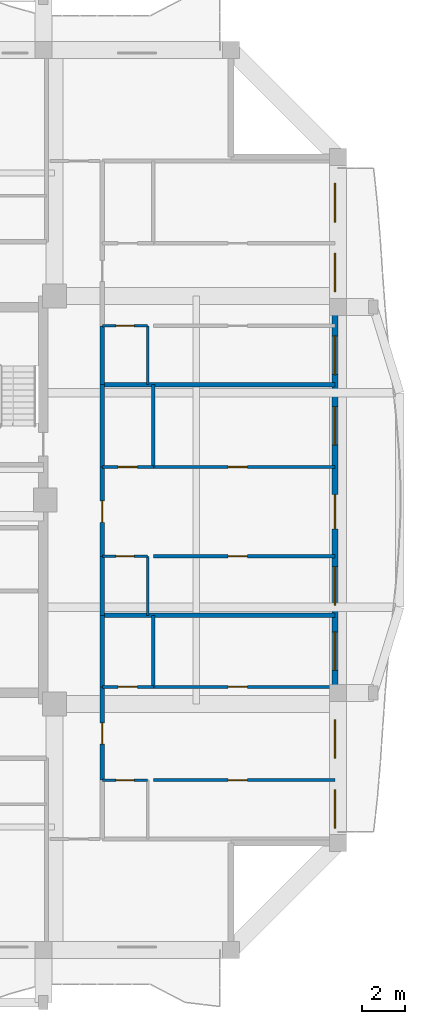
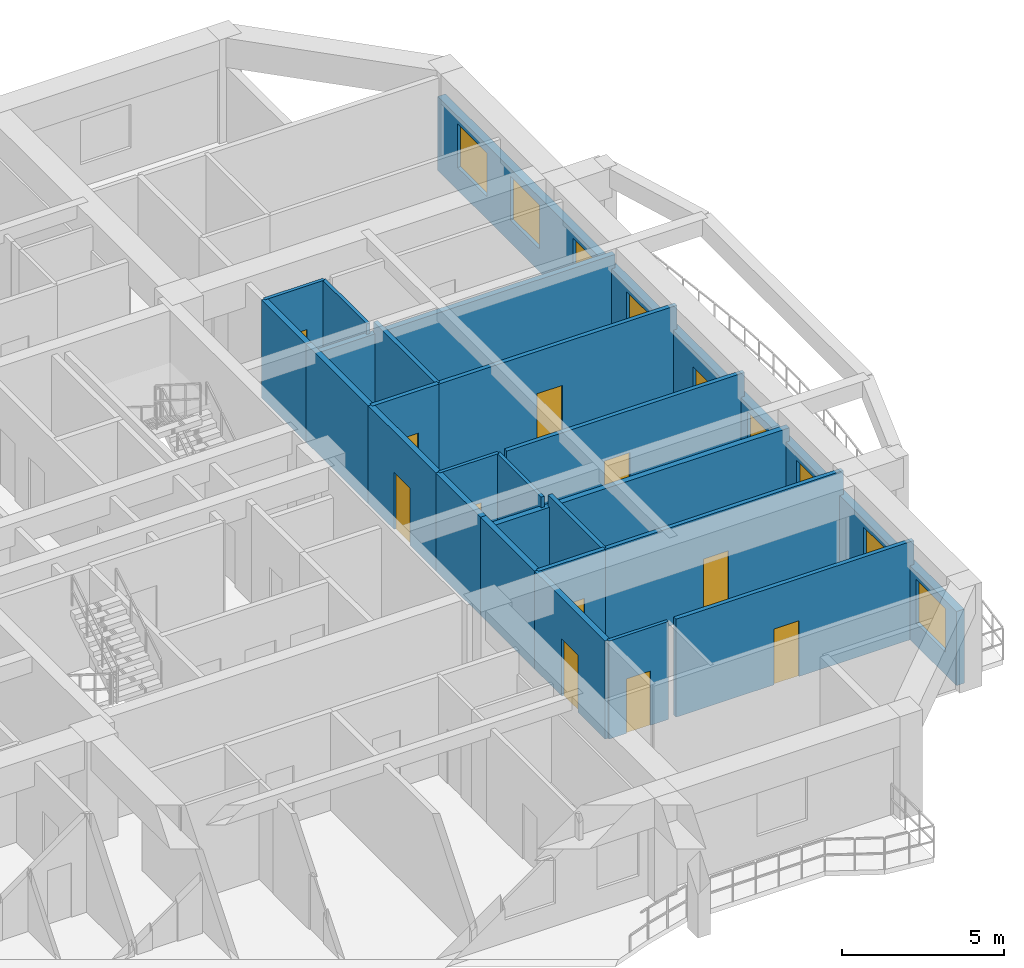
# One storey, part 5 of 13: 22 walls, 12 doors, 8 windows, 20 openings.
"""IFC4 building model written with IfcOpenShell, lengths in metres."""

from ifc_helpers import new_model, si_unit, direction, frame, frame_2d, origin, place, context, subcontext, project, spatial, rectangle, extrude, source, transform, mapped, material, layer, layer_set, type_object, element, fill, save


model = new_model("IFC4")

# Units and contexts
model_context = context("Model", 3, precision=1e-05, world=origin(), true_north=direction((0.0, 1.0)))
body_context = subcontext(model_context, "Body", "Model", "MODEL_VIEW")
ifc_project = project(units=[si_unit("LENGTHUNIT", "METRE"), si_unit("AREAUNIT", "SQUARE_METRE"), si_unit("VOLUMEUNIT", "CUBIC_METRE"), si_unit("PLANEANGLEUNIT", "RADIAN"), si_unit("MASSUNIT", "GRAM", prefix="KILO")], contexts=[model_context])

# Site, building, storey
site_placement = place(None, origin())
site = spatial("IfcSite", under=ifc_project, at=site_placement, CompositionType="ELEMENT")
building_placement = place(site_placement, origin())
building = spatial("IfcBuilding", under=site, at=building_placement, Name="Saelheon Loggia Tower", CompositionType="ELEMENT")
storey_placement = place(building_placement, frame((0.0, 0.0, 172.89990234375)))
storey = spatial("IfcBuildingStorey", under=building, at=storey_placement, Name="L54", CompositionType="ELEMENT", Elevation=172.89990234375)

# Wall, openings, windows, door
ifc_material_1 = material(Name="Architectural Precast Concrete C40/50", Category="concrete")
ifc_layer_1 = layer(ifc_material_1, 0.280029296875)
ifc_layer_set_1 = layer_set([ifc_layer_1], Name="Architectural Precast Concrete C40/50")
wall_type_1 = type_object("IfcWallType", Name="Wall_Ext_Loggia_280", PredefinedType="SOLIDWALL", material=ifc_layer_set_1)
wall_1_placement = place(storey_placement, frame((58.110107421875, 11.0, 0.0), z_axis=(0.0, 0.0, 1.0), x_axis=(0.0, 1.0, 0.0)))
wall_1 = element("IfcWall", 1, at=wall_1_placement, inside=storey, type_object=wall_type_1, Name="L54 East Loggia Inner Wall", PredefinedType="SOLIDWALL", context=body_context, shape_type="SweptSolid", body=[
    extrude(rectangle(XDim=32.0, YDim=0.280029296875, at=frame_2d((16.0, 0.0))), origin(), (0.0, 0.0, 1.0), 2.7900390625),
])
opening_1_placement = place(wall_1_placement, frame((0.68505859375, 0.0, 0.85009765625)))
opening_1 = element("IfcOpeningElement", 2, at=opening_1_placement, cuts=wall_1, Name="Opening WN-01", PredefinedType="OPENING", context=body_context, shape_type="SweptSolid", body=[
    extrude(rectangle(XDim=1.800048828125, YDim=1.64990234375, at=frame_2d((0.89990234375, 0.824951171875))), frame((0.0, 0.152099609375, 0.0), z_axis=(0.0, -1.0, 0.0), x_axis=(1.0, 0.0, 0.0)), (0.0, 0.0, 1.0), 0.303955078125),
])
opening_2_placement = place(wall_1_placement, frame((3.945068359375, 0.0, 0.85009765625)))
opening_2 = element("IfcOpeningElement", 3, at=opening_2_placement, cuts=wall_1, Name="Opening WN-01", PredefinedType="OPENING", context=body_context, shape_type="SweptSolid", body=[
    extrude(rectangle(XDim=1.800048828125, YDim=1.64990234375, at=frame_2d((0.89990234375, 0.824951171875))), frame((0.0, 0.152099609375, 0.0), z_axis=(0.0, -1.0, 0.0), x_axis=(1.0, 0.0, 0.0)), (0.0, 0.0, 1.0), 0.303955078125),
])
opening_3_placement = place(wall_1_placement, frame((8.050537109375, 0.0, 0.85009765625)))
opening_3 = element("IfcOpeningElement", 4, at=opening_3_placement, cuts=wall_1, Name="Opening WN-01", PredefinedType="OPENING", context=body_context, shape_type="SweptSolid", body=[
    extrude(rectangle(XDim=1.800048828125, YDim=1.64990234375, at=frame_2d((0.89990234375, 0.824951171875))), frame((0.0, 0.152099609375, 0.0), z_axis=(0.0, -1.0, 0.0), x_axis=(1.0, 0.0, 0.0)), (0.0, 0.0, 1.0), 0.303955078125),
])
opening_4_placement = place(wall_1_placement, frame((11.09619140625, 0.0, 0.85009765625)))
opening_4 = element("IfcOpeningElement", 5, at=opening_4_placement, cuts=wall_1, Name="Opening WN-01", PredefinedType="OPENING", context=body_context, shape_type="SweptSolid", body=[
    extrude(rectangle(XDim=1.800048828125, YDim=1.64990234375, at=frame_2d((0.89990234375, 0.824951171875))), frame((0.0, 0.152099609375, 0.0), z_axis=(0.0, -1.0, 0.0), x_axis=(1.0, 0.0, 0.0)), (0.0, 0.0, 1.0), 0.303955078125),
])
opening_5_placement = place(wall_1_placement, frame((16.256591796875, 0.0, 0.0), z_axis=(0.0, 0.0, 1.0), x_axis=(-1.0, 0.0, 0.0)))
opening_5 = element("IfcOpeningElement", 6, at=opening_5_placement, cuts=wall_1, Name="Opening DLG-1", PredefinedType="OPENING", context=body_context, shape_type="SweptSolid", body=[
    extrude(rectangle(XDim=1.60009765625, YDim=2.14990234375, at=frame_2d((0.800048828125, 1.074951171875))), frame((0.0, 0.152099609375, 0.0), z_axis=(0.0, -1.0, 0.0), x_axis=(1.0, 0.0, 0.0)), (0.0, 0.0, 1.0), 0.303955078125),
])
opening_6_placement = place(wall_1_placement, frame((18.560302734375, 0.0, 0.85009765625)))
opening_6 = element("IfcOpeningElement", 7, at=opening_6_placement, cuts=wall_1, Name="Opening WN-01", PredefinedType="OPENING", context=body_context, shape_type="SweptSolid", body=[
    extrude(rectangle(XDim=1.800048828125, YDim=1.64990234375, at=frame_2d((0.89990234375, 0.824951171875))), frame((0.0, 0.152099609375, 0.0), z_axis=(0.0, -1.0, 0.0), x_axis=(1.0, 0.0, 0.0)), (0.0, 0.0, 1.0), 0.303955078125),
])
opening_7_placement = place(wall_1_placement, frame((21.853759765625, 0.0, 0.85009765625)))
opening_7 = element("IfcOpeningElement", 8, at=opening_7_placement, cuts=wall_1, Name="Opening WN-01", PredefinedType="OPENING", context=body_context, shape_type="SweptSolid", body=[
    extrude(rectangle(XDim=1.800048828125, YDim=1.64990234375, at=frame_2d((0.89990234375, 0.824951171875))), frame((0.0, 0.152099609375, 0.0), z_axis=(0.0, -1.0, 0.0), x_axis=(1.0, 0.0, 0.0)), (0.0, 0.0, 1.0), 0.303955078125),
])
opening_8_placement = place(wall_1_placement, frame((25.71142578125, 0.0, 0.85009765625)))
opening_8 = element("IfcOpeningElement", 9, at=opening_8_placement, cuts=wall_1, Name="Opening WN-01", PredefinedType="OPENING", context=body_context, shape_type="SweptSolid", body=[
    extrude(rectangle(XDim=1.800048828125, YDim=1.64990234375, at=frame_2d((0.89990234375, 0.824951171875))), frame((0.0, 0.152099609375, 0.0), z_axis=(0.0, -1.0, 0.0), x_axis=(1.0, 0.0, 0.0)), (0.0, 0.0, 1.0), 0.303955078125),
])
opening_9_placement = place(wall_1_placement, frame((28.971435546875, 0.0, 0.85009765625)))
opening_9 = element("IfcOpeningElement", 10, at=opening_9_placement, cuts=wall_1, Name="Opening WN-01", PredefinedType="OPENING", context=body_context, shape_type="SweptSolid", body=[
    extrude(rectangle(XDim=1.800048828125, YDim=1.64990234375, at=frame_2d((0.89990234375, 0.824951171875))), frame((0.0, 0.152099609375, 0.0), z_axis=(0.0, -1.0, 0.0), x_axis=(1.0, 0.0, 0.0)), (0.0, 0.0, 1.0), 0.303955078125),
])
ifc_material_2 = material(Name="Thermal-Break Aluminium and Triple Low-E Glass", Category="aluminium")
window_type = type_object("IfcWindowType", Name="Win_Dwelling_1800x1650", PartitioningType="SINGLE_PANEL", PredefinedType="WINDOW", material=ifc_material_2)
shared_shape_1 = source(origin(), body_context, "Body", "SweptSolid", [
    extrude(rectangle(XDim=1.800048828125, YDim=1.64990234375, at=frame_2d((0.89990234375, 0.824951171875))), frame((0.0, 0.030029296875, 0.0), z_axis=(0.0, -1.0, 0.0), x_axis=(1.0, 0.0, 0.0)), (0.0, 0.0, 1.0), 0.06005859375),
])
window_1_placement = place(opening_1_placement, origin())
window_1 = element("IfcWindow", 11, at=window_1_placement, inside=storey, type_object=window_type, Name="L54 E Dwelling Window 1", OverallHeight=1.64990234375, OverallWidth=1.800048828125, PartitioningType="SINGLE_PANEL", PredefinedType="WINDOW", context=body_context, shape_type="MappedRepresentation", body=[
    mapped(shared_shape_1, transform((0.0, 0.0, 0.0), scale=1.0)),
])
fill(opening_1, window_1)
window_2_placement = place(opening_2_placement, origin())
window_2 = element("IfcWindow", 12, at=window_2_placement, inside=storey, type_object=window_type, Name="L54 E Dwelling Window 2", OverallHeight=1.64990234375, OverallWidth=1.800048828125, PartitioningType="SINGLE_PANEL", PredefinedType="WINDOW", context=body_context, shape_type="MappedRepresentation", body=[
    mapped(shared_shape_1, transform((0.0, 0.0, 0.0), scale=1.0)),
])
fill(opening_2, window_2)
window_3_placement = place(opening_3_placement, origin())
window_3 = element("IfcWindow", 13, at=window_3_placement, inside=storey, type_object=window_type, Name="L54 E Dwelling Window 3", OverallHeight=1.64990234375, OverallWidth=1.800048828125, PartitioningType="SINGLE_PANEL", PredefinedType="WINDOW", context=body_context, shape_type="MappedRepresentation", body=[
    mapped(shared_shape_1, transform((0.0, 0.0, 0.0), scale=1.0)),
])
fill(opening_3, window_3)
window_4_placement = place(opening_4_placement, origin())
window_4 = element("IfcWindow", 14, at=window_4_placement, inside=storey, type_object=window_type, Name="L54 E Dwelling Window 4", OverallHeight=1.64990234375, OverallWidth=1.800048828125, PartitioningType="SINGLE_PANEL", PredefinedType="WINDOW", context=body_context, shape_type="MappedRepresentation", body=[
    mapped(shared_shape_1, transform((0.0, 0.0, 0.0), scale=1.0)),
])
fill(opening_4, window_4)
window_5_placement = place(opening_6_placement, origin())
window_5 = element("IfcWindow", 15, at=window_5_placement, inside=storey, type_object=window_type, Name="L54 E Dwelling Window 6", OverallHeight=1.64990234375, OverallWidth=1.800048828125, PartitioningType="SINGLE_PANEL", PredefinedType="WINDOW", context=body_context, shape_type="MappedRepresentation", body=[
    mapped(shared_shape_1, transform((0.0, 0.0, 0.0), scale=1.0)),
])
fill(opening_6, window_5)
window_6_placement = place(opening_7_placement, origin())
window_6 = element("IfcWindow", 16, at=window_6_placement, inside=storey, type_object=window_type, Name="L54 E Dwelling Window 7", OverallHeight=1.64990234375, OverallWidth=1.800048828125, PartitioningType="SINGLE_PANEL", PredefinedType="WINDOW", context=body_context, shape_type="MappedRepresentation", body=[
    mapped(shared_shape_1, transform((0.0, 0.0, 0.0), scale=1.0)),
])
fill(opening_7, window_6)
window_7_placement = place(opening_8_placement, origin())
window_7 = element("IfcWindow", 17, at=window_7_placement, inside=storey, type_object=window_type, Name="L54 E Dwelling Window 8", OverallHeight=1.64990234375, OverallWidth=1.800048828125, PartitioningType="SINGLE_PANEL", PredefinedType="WINDOW", context=body_context, shape_type="MappedRepresentation", body=[
    mapped(shared_shape_1, transform((0.0, 0.0, 0.0), scale=1.0)),
])
fill(opening_8, window_7)
window_8_placement = place(opening_9_placement, origin())
window_8 = element("IfcWindow", 18, at=window_8_placement, inside=storey, type_object=window_type, Name="L54 E Dwelling Window 9", OverallHeight=1.64990234375, OverallWidth=1.800048828125, PartitioningType="SINGLE_PANEL", PredefinedType="WINDOW", context=body_context, shape_type="MappedRepresentation", body=[
    mapped(shared_shape_1, transform((0.0, 0.0, 0.0), scale=1.0)),
])
fill(opening_9, window_8)
ifc_material_3 = material(Name="Thermal-Break Aluminium Sliding Glazed Door", Category="aluminium")
door_type_1 = type_object("IfcDoorType", Name="Door_LoggiaSlide_1600", OperationType="SLIDING_TO_LEFT", PredefinedType="DOOR", material=ifc_material_3)
shared_shape_2 = source(origin(), body_context, "Body", "SweptSolid", [
    extrude(rectangle(XDim=1.60009765625, YDim=2.14990234375, at=frame_2d((0.800048828125, 1.074951171875))), frame((0.0, 0.02490234375, 0.0), z_axis=(0.0, -1.0, 0.0), x_axis=(1.0, 0.0, 0.0)), (0.0, 0.0, 1.0), 0.050048828125),
])
door_1_placement = place(opening_5_placement, origin())
door_1 = element("IfcDoor", 19, at=door_1_placement, inside=storey, type_object=door_type_1, Name="L54 E Loggia Access Door", OperationType="SLIDING_TO_LEFT", OverallHeight=2.14990234375, OverallWidth=1.60009765625, PredefinedType="DOOR", context=body_context, shape_type="MappedRepresentation", body=[
    mapped(shared_shape_2, transform((0.0, 0.0, 0.0), scale=1.0)),
])
fill(opening_5, door_1)

# Wall
ifc_material_4 = material(Name="Lightweight Autoclaved Aerated Concrete Block and Acoustic Gypsum", Category="concrete")
ifc_layer_2 = layer(ifc_material_4, 0.14990234375)
ifc_layer_set_2 = layer_set([ifc_layer_2], Name="Lightweight Autoclaved Aerated Concrete Block and Acoustic Gypsum")
wall_type_2 = type_object("IfcWallType", Name="Wall_Part_150", PredefinedType="PARTITIONING", material=ifc_layer_set_2)
wall_2_placement = place(storey_placement, frame((49.6298828125, 18.280029296875, 0.0), z_axis=(0.0, 0.0, 1.0), x_axis=(0.0, 1.0, 0.0)))
element("IfcWall", 20, at=wall_2_placement, inside=storey, type_object=wall_type_2, Name="L54 E Partition V07", PredefinedType="PARTITIONING", context=body_context, shape_type="SweptSolid", body=[
    extrude(rectangle(XDim=3.341064453125, YDim=0.14990234375, at=frame_2d((1.67041015625, 0.0))), origin(), (0.0, 0.0, 1.0), 3.690185546875),
])

# Wall, opening, door
wall_3_placement = place(storey_placement, frame((49.6298828125, 13.929931640625, 0.0), z_axis=(0.0, 0.0, 1.0), x_axis=(1.0, 0.0, 0.0)))
wall_3 = element("IfcWall", 21, at=wall_3_placement, inside=storey, type_object=wall_type_2, Name="L54 E Partition U09", PredefinedType="PARTITIONING", context=body_context, shape_type="SweptSolid", body=[
    extrude(rectangle(XDim=8.47021484375, YDim=0.14990234375, at=frame_2d((4.235107421875, 0.0))), origin(), (0.0, 0.0, 1.0), 3.690185546875),
])
opening_10_placement = place(wall_3_placement, frame((3.489501953125, 0.0, 0.0)))
opening_10 = element("IfcOpeningElement", 22, at=opening_10_placement, cuts=wall_3, Name="Opening D-IN2", PredefinedType="OPENING", context=body_context, shape_type="SweptSolid", body=[
    extrude(rectangle(XDim=0.89990234375, YDim=2.10009765625, at=frame_2d((0.449951171875, 1.050048828125))), frame((0.0, 0.0869140625, 0.0), z_axis=(0.0, -1.0, 0.0), x_axis=(1.0, 0.0, 0.0)), (0.0, 0.0, 1.0), 0.173828125),
])
ifc_material_5 = material(Name="Engineered Oak Flush Door", Category="timber")
door_type_2 = type_object("IfcDoorType", Name="Door_Int_900", OperationType="NOTDEFINED", PredefinedType="DOOR", material=ifc_material_5)
shared_shape_3 = source(origin(), body_context, "Body", "SweptSolid", [
    extrude(rectangle(XDim=0.89990234375, YDim=2.10009765625, at=frame_2d((0.449951171875, 1.050048828125))), frame((0.0, 0.02490234375, 0.0), z_axis=(0.0, -1.0, 0.0), x_axis=(1.0, 0.0, 0.0)), (0.0, 0.0, 1.0), 0.050048828125),
])
door_2_placement = place(opening_10_placement, origin())
door_2 = element("IfcDoor", 23, at=door_2_placement, inside=storey, type_object=door_type_2, Name="Unit U08 Kitchen Door", OperationType="SINGLE_SWING_RIGHT", OverallHeight=2.10009765625, OverallWidth=0.89990234375, PredefinedType="DOOR", context=body_context, shape_type="MappedRepresentation", body=[
    mapped(shared_shape_3, transform((0.0, 0.0, 0.0), scale=1.0)),
])
fill(opening_10, door_2)

wall_4_placement = place(storey_placement, frame((47.25, 18.280029296875, 0.0), z_axis=(0.0, 0.0, 1.0), x_axis=(1.0, 0.0, 0.0)))
wall_4 = element("IfcWall", 24, at=wall_4_placement, inside=storey, type_object=wall_type_2, Name="L54 E Partition U10", PredefinedType="PARTITIONING", context=body_context, shape_type="SweptSolid", body=[
    extrude(rectangle(XDim=2.3798828125, YDim=0.14990234375, at=frame_2d((1.18994140625, 0.0))), origin(), (0.0, 0.0, 1.0), 3.690185546875),
])
opening_11_placement = place(wall_4_placement, frame((0.739990234375, 0.0, 0.0)))
opening_11 = element("IfcOpeningElement", 25, at=opening_11_placement, cuts=wall_4, Name="Opening D-IN2", PredefinedType="OPENING", context=body_context, shape_type="SweptSolid", body=[
    extrude(rectangle(XDim=0.89990234375, YDim=2.10009765625, at=frame_2d((0.449951171875, 1.050048828125))), frame((0.0, 0.0869140625, 0.0), z_axis=(0.0, -1.0, 0.0), x_axis=(1.0, 0.0, 0.0)), (0.0, 0.0, 1.0), 0.173828125),
])
door_3_placement = place(opening_11_placement, origin())
door_3 = element("IfcDoor", 26, at=door_3_placement, inside=storey, type_object=door_type_2, Name="Unit U08 Dressing Closet Door", OperationType="SINGLE_SWING_LEFT", OverallHeight=2.10009765625, OverallWidth=0.89990234375, PredefinedType="DOOR", context=body_context, shape_type="MappedRepresentation", body=[
    mapped(shared_shape_3, transform((0.0, 0.0, 0.0), scale=1.0)),
])
fill(opening_11, door_3)

wall_5_placement = place(storey_placement, frame((49.6298828125, 18.280029296875, 0.0), z_axis=(0.0, 0.0, 1.0), x_axis=(1.0, 0.0, 0.0)))
wall_5 = element("IfcWall", 27, at=wall_5_placement, inside=storey, type_object=wall_type_2, Name="L54 E Partition U11", PredefinedType="PARTITIONING", context=body_context, shape_type="SweptSolid", body=[
    extrude(rectangle(XDim=8.47021484375, YDim=0.14990234375, at=frame_2d((4.235107421875, 0.0))), origin(), (0.0, 0.0, 1.0), 3.690185546875),
])
opening_12_placement = place(wall_5_placement, frame((3.489501953125, 0.0, 0.0)))
opening_12 = element("IfcOpeningElement", 28, at=opening_12_placement, cuts=wall_5, Name="Opening D-IN2", PredefinedType="OPENING", context=body_context, shape_type="SweptSolid", body=[
    extrude(rectangle(XDim=0.89990234375, YDim=2.10009765625, at=frame_2d((0.449951171875, 1.050048828125))), frame((0.0, 0.0869140625, 0.0), z_axis=(0.0, -1.0, 0.0), x_axis=(1.0, 0.0, 0.0)), (0.0, 0.0, 1.0), 0.173828125),
])
door_4_placement = place(opening_12_placement, origin())
door_4 = element("IfcDoor", 29, at=door_4_placement, inside=storey, type_object=door_type_2, Name="Unit U08 Bedroom 1 Door", OperationType="SINGLE_SWING_RIGHT", OverallHeight=2.10009765625, OverallWidth=0.89990234375, PredefinedType="DOOR", context=body_context, shape_type="MappedRepresentation", body=[
    mapped(shared_shape_3, transform((0.0, 0.0, 0.0), scale=1.0)),
])
fill(opening_12, door_4)

# Wall
wall_6_placement = place(storey_placement, frame((49.6298828125, 28.541748046875, 0.0), z_axis=(0.0, 0.0, 1.0), x_axis=(0.0, 1.0, 0.0)))
element("IfcWall", 30, at=wall_6_placement, inside=storey, type_object=wall_type_2, Name="L54 E Partition V17", PredefinedType="PARTITIONING", context=body_context, shape_type="SweptSolid", body=[
    extrude(rectangle(XDim=3.837158203125, YDim=0.14990234375, at=frame_2d((1.91845703125, 0.0))), origin(), (0.0, 0.0, 1.0), 3.690185546875),
])

# Wall, opening, door
wall_7_placement = place(storey_placement, frame((49.6298828125, 24.37109375, 0.0), z_axis=(0.0, 0.0, 1.0), x_axis=(1.0, 0.0, 0.0)))
wall_7 = element("IfcWall", 31, at=wall_7_placement, inside=storey, type_object=wall_type_2, Name="L54 E Partition U19", PredefinedType="PARTITIONING", context=body_context, shape_type="SweptSolid", body=[
    extrude(rectangle(XDim=8.47021484375, YDim=0.14990234375, at=frame_2d((4.235107421875, 0.0))), origin(), (0.0, 0.0, 1.0), 3.690185546875),
])
opening_13_placement = place(wall_7_placement, frame((3.489501953125, 0.0, 0.0)))
opening_13 = element("IfcOpeningElement", 32, at=opening_13_placement, cuts=wall_7, Name="Opening D-IN2", PredefinedType="OPENING", context=body_context, shape_type="SweptSolid", body=[
    extrude(rectangle(XDim=0.89990234375, YDim=2.10009765625, at=frame_2d((0.449951171875, 1.050048828125))), frame((0.0, 0.0869140625, 0.0), z_axis=(0.0, -1.0, 0.0), x_axis=(1.0, 0.0, 0.0)), (0.0, 0.0, 1.0), 0.173828125),
])
door_5_placement = place(opening_13_placement, origin())
door_5 = element("IfcDoor", 33, at=door_5_placement, inside=storey, type_object=door_type_2, Name="Unit U09 Kitchen Door", OperationType="SINGLE_SWING_LEFT", OverallHeight=2.10009765625, OverallWidth=0.89990234375, PredefinedType="DOOR", context=body_context, shape_type="MappedRepresentation", body=[
    mapped(shared_shape_3, transform((0.0, 0.0, 0.0), scale=1.0)),
])
fill(opening_13, door_5)

wall_8_placement = place(storey_placement, frame((47.25, 28.541748046875, 0.0), z_axis=(0.0, 0.0, 1.0), x_axis=(1.0, 0.0, 0.0)))
wall_8 = element("IfcWall", 34, at=wall_8_placement, inside=storey, type_object=wall_type_2, Name="L54 E Partition U20", PredefinedType="PARTITIONING", context=body_context, shape_type="SweptSolid", body=[
    extrude(rectangle(XDim=2.3798828125, YDim=0.14990234375, at=frame_2d((1.18994140625, 0.0))), origin(), (0.0, 0.0, 1.0), 3.690185546875),
])
opening_14_placement = place(wall_8_placement, frame((0.739990234375, 0.0, 0.0)))
opening_14 = element("IfcOpeningElement", 35, at=opening_14_placement, cuts=wall_8, Name="Opening D-IN2", PredefinedType="OPENING", context=body_context, shape_type="SweptSolid", body=[
    extrude(rectangle(XDim=0.89990234375, YDim=2.10009765625, at=frame_2d((0.449951171875, 1.050048828125))), frame((0.0, 0.0869140625, 0.0), z_axis=(0.0, -1.0, 0.0), x_axis=(1.0, 0.0, 0.0)), (0.0, 0.0, 1.0), 0.173828125),
])
door_6_placement = place(opening_14_placement, origin())
door_6 = element("IfcDoor", 36, at=door_6_placement, inside=storey, type_object=door_type_2, Name="Unit U09 Dressing Closet Door", OperationType="SINGLE_SWING_RIGHT", OverallHeight=2.10009765625, OverallWidth=0.89990234375, PredefinedType="DOOR", context=body_context, shape_type="MappedRepresentation", body=[
    mapped(shared_shape_3, transform((0.0, 0.0, 0.0), scale=1.0)),
])
fill(opening_14, door_6)

wall_9_placement = place(storey_placement, frame((49.6298828125, 28.541748046875, 0.0), z_axis=(0.0, 0.0, 1.0), x_axis=(1.0, 0.0, 0.0)))
wall_9 = element("IfcWall", 37, at=wall_9_placement, inside=storey, type_object=wall_type_2, Name="L54 E Partition U21", PredefinedType="PARTITIONING", context=body_context, shape_type="SweptSolid", body=[
    extrude(rectangle(XDim=8.47021484375, YDim=0.14990234375, at=frame_2d((4.235107421875, 0.0))), origin(), (0.0, 0.0, 1.0), 3.690185546875),
])
opening_15_placement = place(wall_9_placement, frame((3.489501953125, 0.0, 0.0)))
opening_15 = element("IfcOpeningElement", 38, at=opening_15_placement, cuts=wall_9, Name="Opening D-IN2", PredefinedType="OPENING", context=body_context, shape_type="SweptSolid", body=[
    extrude(rectangle(XDim=0.89990234375, YDim=2.10009765625, at=frame_2d((0.449951171875, 1.050048828125))), frame((0.0, 0.0869140625, 0.0), z_axis=(0.0, -1.0, 0.0), x_axis=(1.0, 0.0, 0.0)), (0.0, 0.0, 1.0), 0.173828125),
])
door_7_placement = place(opening_15_placement, origin())
door_7 = element("IfcDoor", 39, at=door_7_placement, inside=storey, type_object=door_type_2, Name="Unit U09 Bedroom 1 Door", OperationType="SINGLE_SWING_LEFT", OverallHeight=2.10009765625, OverallWidth=0.89990234375, PredefinedType="DOOR", context=body_context, shape_type="MappedRepresentation", body=[
    mapped(shared_shape_3, transform((0.0, 0.0, 0.0), scale=1.0)),
])
fill(opening_15, door_7)

ifc_material_6 = material(Name="Double Acoustic Stud and Fireboard Partition", Category="gypsum")
ifc_layer_3 = layer(ifc_material_6, 0.199951171875)
ifc_layer_set_3 = layer_set([ifc_layer_3], Name="Double Acoustic Stud and Fireboard Partition")
wall_type_3 = type_object("IfcWallType", Name="Wall_Party_200", PredefinedType="PARTITIONING", material=ifc_layer_set_3)
wall_10_placement = place(storey_placement, frame((47.25, 13.929931640625, 0.0), z_axis=(0.0, 0.0, 1.0), x_axis=(0.0, 1.0, 0.0)))
wall_10 = element("IfcWall", 40, at=wall_10_placement, inside=storey, type_object=wall_type_3, Name="L54 E Partition V04", PredefinedType="PARTITIONING", context=body_context, shape_type="SweptSolid", body=[
    extrude(rectangle(XDim=4.35009765625, YDim=0.199951171875, at=frame_2d((2.175048828125, 0.0))), origin(), (0.0, 0.0, 1.0), 3.690185546875),
])
opening_16_placement = place(wall_10_placement, frame((1.675048828125, 0.0, 0.0)))
opening_16 = element("IfcOpeningElement", 41, at=opening_16_placement, cuts=wall_10, Name="Opening D-FD1", PredefinedType="OPENING", context=body_context, shape_type="SweptSolid", body=[
    extrude(rectangle(XDim=1.0, YDim=2.14990234375, at=frame_2d((0.5, 1.074951171875))), frame((0.0, 0.112060546875, 0.0), z_axis=(0.0, -1.0, 0.0), x_axis=(1.0, 0.0, 0.0)), (0.0, 0.0, 1.0), 0.223876953125),
])
ifc_material_7 = material(Name="Fire-Rated Engineered Timber Entrance Door", Category="wood")
door_type_3 = type_object("IfcDoorType", Name="Door_Flat_FD30S", OperationType="NOTDEFINED", PredefinedType="DOOR", material=ifc_material_7)
shared_shape_4 = source(origin(), body_context, "Body", "SweptSolid", [
    extrude(rectangle(XDim=1.0, YDim=2.14990234375, at=frame_2d((0.5, 1.074951171875))), frame((0.0, 0.02490234375, 0.0), z_axis=(0.0, -1.0, 0.0), x_axis=(1.0, 0.0, 0.0)), (0.0, 0.0, 1.0), 0.050048828125),
])
door_8_placement = place(opening_16_placement, origin())
door_8 = element("IfcDoor", 42, at=door_8_placement, inside=storey, type_object=door_type_3, Name="Unit U08 Entrance Door", OperationType="SINGLE_SWING_RIGHT", OverallHeight=2.14990234375, OverallWidth=1.0, PredefinedType="DOOR", context=body_context, shape_type="MappedRepresentation", body=[
    mapped(shared_shape_4, transform((0.0, 0.0, 0.0), scale=1.0)),
])
fill(opening_16, door_8)

# Walls
wall_11_placement = place(storey_placement, frame((47.25, 18.280029296875, 0.0), z_axis=(0.0, 0.0, 1.0), x_axis=(0.0, 1.0, 0.0)))
element("IfcWall", 43, at=wall_11_placement, inside=storey, type_object=wall_type_3, Name="L54 E Partition V05", PredefinedType="PARTITIONING", context=body_context, shape_type="SweptSolid", body=[
    extrude(rectangle(XDim=3.341064453125, YDim=0.199951171875, at=frame_2d((1.67041015625, 0.0))), origin(), (0.0, 0.0, 1.0), 3.690185546875),
])
wall_12_placement = place(storey_placement, frame((47.25, 21.62109375, 0.0), z_axis=(0.0, 0.0, 1.0), x_axis=(1.0, 0.0, 0.0)))
element("IfcWall", 44, at=wall_12_placement, inside=storey, type_object=wall_type_3, Name="L54 E Partition U12", PredefinedType="PARTITIONING", context=body_context, shape_type="SweptSolid", body=[
    extrude(rectangle(XDim=10.85009765625, YDim=0.199951171875, at=frame_2d((5.425048828125, 0.0))), origin(), (0.0, 0.0, 1.0), 3.2900390625),
])
wall_13_placement = place(storey_placement, frame((47.25, 21.62109375, 0.0), z_axis=(0.0, 0.0, 1.0), x_axis=(0.0, 1.0, 0.0)))
element("IfcWall", 45, at=wall_13_placement, inside=storey, type_object=wall_type_3, Name="L54 E Partition V13", PredefinedType="PARTITIONING", context=body_context, shape_type="SweptSolid", body=[
    extrude(rectangle(XDim=2.75, YDim=0.199951171875, at=frame_2d((1.375, 0.0))), origin(), (0.0, 0.0, 1.0), 3.690185546875),
])

# Wall, opening, door
wall_14_placement = place(storey_placement, frame((47.25, 24.37109375, 0.0), z_axis=(0.0, 0.0, 1.0), x_axis=(0.0, 1.0, 0.0)))
wall_14 = element("IfcWall", 46, at=wall_14_placement, inside=storey, type_object=wall_type_3, Name="L54 E Partition V14", PredefinedType="PARTITIONING", context=body_context, shape_type="SweptSolid", body=[
    extrude(rectangle(XDim=4.170654296875, YDim=0.199951171875, at=frame_2d((2.08544921875, 0.0))), origin(), (0.0, 0.0, 1.0), 3.690185546875),
])
opening_17_placement = place(wall_14_placement, frame((1.585205078125, 0.0, 0.0)))
opening_17 = element("IfcOpeningElement", 47, at=opening_17_placement, cuts=wall_14, Name="Opening D-FD1", PredefinedType="OPENING", context=body_context, shape_type="SweptSolid", body=[
    extrude(rectangle(XDim=1.0, YDim=2.14990234375, at=frame_2d((0.5, 1.074951171875))), frame((0.0, 0.112060546875, 0.0), z_axis=(0.0, -1.0, 0.0), x_axis=(1.0, 0.0, 0.0)), (0.0, 0.0, 1.0), 0.223876953125),
])
door_9_placement = place(opening_17_placement, origin())
door_9 = element("IfcDoor", 48, at=door_9_placement, inside=storey, type_object=door_type_3, Name="Unit U09 Entrance Door", OperationType="SINGLE_SWING_LEFT", OverallHeight=2.14990234375, OverallWidth=1.0, PredefinedType="DOOR", context=body_context, shape_type="MappedRepresentation", body=[
    mapped(shared_shape_4, transform((0.0, 0.0, 0.0), scale=1.0)),
])
fill(opening_17, door_9)

# Walls
wall_15_placement = place(storey_placement, frame((47.25, 28.541748046875, 0.0), z_axis=(0.0, 0.0, 1.0), x_axis=(0.0, 1.0, 0.0)))
element("IfcWall", 49, at=wall_15_placement, inside=storey, type_object=wall_type_3, Name="L54 E Partition V15", PredefinedType="PARTITIONING", context=body_context, shape_type="SweptSolid", body=[
    extrude(rectangle(XDim=3.837158203125, YDim=0.199951171875, at=frame_2d((1.91845703125, 0.0))), origin(), (0.0, 0.0, 1.0), 3.690185546875),
])
wall_16_placement = place(storey_placement, frame((47.25, 32.37890625, 0.0), z_axis=(0.0, 0.0, 1.0), x_axis=(1.0, 0.0, 0.0)))
element("IfcWall", 50, at=wall_16_placement, inside=storey, type_object=wall_type_3, Name="L54 E Partition U22", PredefinedType="PARTITIONING", context=body_context, shape_type="SweptSolid", body=[
    extrude(rectangle(XDim=10.85009765625, YDim=0.199951171875, at=frame_2d((5.425048828125, 0.0))), origin(), (0.0, 0.0, 1.0), 3.2900390625),
])
wall_17_placement = place(storey_placement, frame((47.25, 32.37890625, 0.0), z_axis=(0.0, 0.0, 1.0), x_axis=(0.0, 1.0, 0.0)))
element("IfcWall", 51, at=wall_17_placement, inside=storey, type_object=wall_type_3, Name="L54 E Partition V23", PredefinedType="PARTITIONING", context=body_context, shape_type="SweptSolid", body=[
    extrude(rectangle(XDim=2.75, YDim=0.199951171875, at=frame_2d((1.375, 0.0))), origin(), (0.0, 0.0, 1.0), 3.690185546875),
])

# Wall, opening, door
ifc_material_8 = material(Name="Moisture-Resistant Cement Board Partition", Category="gypsum")
ifc_layer_4 = layer(ifc_material_8, 0.1201171875)
ifc_layer_set_4 = layer_set([ifc_layer_4], Name="Moisture-Resistant Cement Board Partition")
wall_type_4 = type_object("IfcWallType", Name="Wall_WetPart_120", PredefinedType="PARTITIONING", material=ifc_layer_set_4)
wall_18_placement = place(storey_placement, frame((47.25, 13.929931640625, 0.0), z_axis=(0.0, 0.0, 1.0), x_axis=(1.0, 0.0, 0.0)))
wall_18 = element("IfcWall", 52, at=wall_18_placement, inside=storey, type_object=wall_type_4, Name="L54 E Partition U08", PredefinedType="PARTITIONING", context=body_context, shape_type="SweptSolid", body=[
    extrude(rectangle(XDim=2.1201171875, YDim=0.1201171875, at=frame_2d((1.06005859375, 0.0))), origin(), (0.0, 0.0, 1.0), 3.690185546875),
])
opening_18_placement = place(wall_18_placement, frame((0.635009765625, 0.0, 0.0)))
opening_18 = element("IfcOpeningElement", 53, at=opening_18_placement, cuts=wall_18, Name="Opening D-BT1", PredefinedType="OPENING", context=body_context, shape_type="SweptSolid", body=[
    extrude(rectangle(XDim=0.85009765625, YDim=2.050048828125, at=frame_2d((0.425048828125, 1.02490234375))), frame((0.0, 0.072021484375, 0.0), z_axis=(0.0, -1.0, 0.0), x_axis=(1.0, 0.0, 0.0)), (0.0, 0.0, 1.0), 0.14404296875),
])
ifc_material_9 = material(Name="Moisture-Resistant Laminate Timber Door", Category="wood")
door_type_4 = type_object("IfcDoorType", Name="Door_Bath_850", OperationType="NOTDEFINED", PredefinedType="DOOR", material=ifc_material_9)
shared_shape_5 = source(origin(), body_context, "Body", "SweptSolid", [
    extrude(rectangle(XDim=0.85009765625, YDim=2.050048828125, at=frame_2d((0.425048828125, 1.02490234375))), frame((0.0, 0.02490234375, 0.0), z_axis=(0.0, -1.0, 0.0), x_axis=(1.0, 0.0, 0.0)), (0.0, 0.0, 1.0), 0.050048828125),
])
door_10_placement = place(opening_18_placement, origin())
door_10 = element("IfcDoor", 54, at=door_10_placement, inside=storey, type_object=door_type_4, Name="Unit U08 Bathroom Door", OperationType="SINGLE_SWING_LEFT", OverallHeight=2.050048828125, OverallWidth=0.85009765625, PredefinedType="DOOR", context=body_context, shape_type="MappedRepresentation", body=[
    mapped(shared_shape_5, transform((0.0, 0.0, 0.0), scale=1.0)),
])
fill(opening_18, door_10)

# Wall
wall_19_placement = place(storey_placement, frame((49.3701171875, 21.62109375, 0.0), z_axis=(0.0, 0.0, 1.0), x_axis=(0.0, 1.0, 0.0)))
element("IfcWall", 55, at=wall_19_placement, inside=storey, type_object=wall_type_4, Name="L54 E Partition V16", PredefinedType="PARTITIONING", context=body_context, shape_type="SweptSolid", body=[
    extrude(rectangle(XDim=2.75, YDim=0.1201171875, at=frame_2d((1.375, 0.0))), origin(), (0.0, 0.0, 1.0), 3.690185546875),
])

# Wall, opening, door
wall_20_placement = place(storey_placement, frame((47.25, 24.37109375, 0.0), z_axis=(0.0, 0.0, 1.0), x_axis=(1.0, 0.0, 0.0)))
wall_20 = element("IfcWall", 56, at=wall_20_placement, inside=storey, type_object=wall_type_4, Name="L54 E Partition U18", PredefinedType="PARTITIONING", context=body_context, shape_type="SweptSolid", body=[
    extrude(rectangle(XDim=2.1201171875, YDim=0.1201171875, at=frame_2d((1.06005859375, 0.0))), origin(), (0.0, 0.0, 1.0), 3.690185546875),
])
opening_19_placement = place(wall_20_placement, frame((0.635009765625, 0.0, 0.0)))
opening_19 = element("IfcOpeningElement", 57, at=opening_19_placement, cuts=wall_20, Name="Opening D-BT1", PredefinedType="OPENING", context=body_context, shape_type="SweptSolid", body=[
    extrude(rectangle(XDim=0.85009765625, YDim=2.050048828125, at=frame_2d((0.425048828125, 1.02490234375))), frame((0.0, 0.072021484375, 0.0), z_axis=(0.0, -1.0, 0.0), x_axis=(1.0, 0.0, 0.0)), (0.0, 0.0, 1.0), 0.14404296875),
])
door_11_placement = place(opening_19_placement, origin())
door_11 = element("IfcDoor", 58, at=door_11_placement, inside=storey, type_object=door_type_4, Name="Unit U09 Bathroom Door", OperationType="SINGLE_SWING_RIGHT", OverallHeight=2.050048828125, OverallWidth=0.85009765625, PredefinedType="DOOR", context=body_context, shape_type="MappedRepresentation", body=[
    mapped(shared_shape_5, transform((0.0, 0.0, 0.0), scale=1.0)),
])
fill(opening_19, door_11)

# Wall
wall_21_placement = place(storey_placement, frame((49.3701171875, 32.37890625, 0.0), z_axis=(0.0, 0.0, 1.0), x_axis=(0.0, 1.0, 0.0)))
element("IfcWall", 59, at=wall_21_placement, inside=storey, type_object=wall_type_4, Name="L54 E Partition V26", PredefinedType="PARTITIONING", context=body_context, shape_type="SweptSolid", body=[
    extrude(rectangle(XDim=2.75, YDim=0.1201171875, at=frame_2d((1.375, 0.0))), origin(), (0.0, 0.0, 1.0), 3.690185546875),
])

# Wall, opening, door
wall_22_placement = place(storey_placement, frame((47.25, 35.12890625, 0.0), z_axis=(0.0, 0.0, 1.0), x_axis=(1.0, 0.0, 0.0)))
wall_22 = element("IfcWall", 60, at=wall_22_placement, inside=storey, type_object=wall_type_4, Name="L54 E Partition U28", PredefinedType="PARTITIONING", context=body_context, shape_type="SweptSolid", body=[
    extrude(rectangle(XDim=2.1201171875, YDim=0.1201171875, at=frame_2d((1.06005859375, 0.0))), origin(), (0.0, 0.0, 1.0), 3.690185546875),
])
opening_20_placement = place(wall_22_placement, frame((0.635009765625, 0.0, 0.0)))
opening_20 = element("IfcOpeningElement", 61, at=opening_20_placement, cuts=wall_22, Name="Opening D-BT1", PredefinedType="OPENING", context=body_context, shape_type="SweptSolid", body=[
    extrude(rectangle(XDim=0.85009765625, YDim=2.050048828125, at=frame_2d((0.425048828125, 1.02490234375))), frame((0.0, 0.072021484375, 0.0), z_axis=(0.0, -1.0, 0.0), x_axis=(1.0, 0.0, 0.0)), (0.0, 0.0, 1.0), 0.14404296875),
])
door_12_placement = place(opening_20_placement, origin())
door_12 = element("IfcDoor", 62, at=door_12_placement, inside=storey, type_object=door_type_4, Name="Unit U10 Bathroom Door", OperationType="SINGLE_SWING_LEFT", OverallHeight=2.050048828125, OverallWidth=0.85009765625, PredefinedType="DOOR", context=body_context, shape_type="MappedRepresentation", body=[
    mapped(shared_shape_5, transform((0.0, 0.0, 0.0), scale=1.0)),
])
fill(opening_20, door_12)

save(model, "model.ifc")
